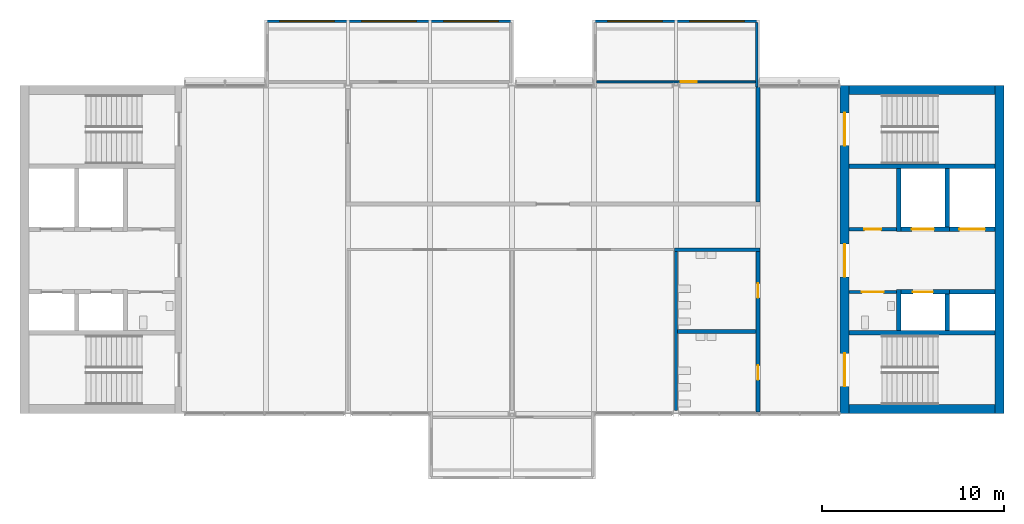
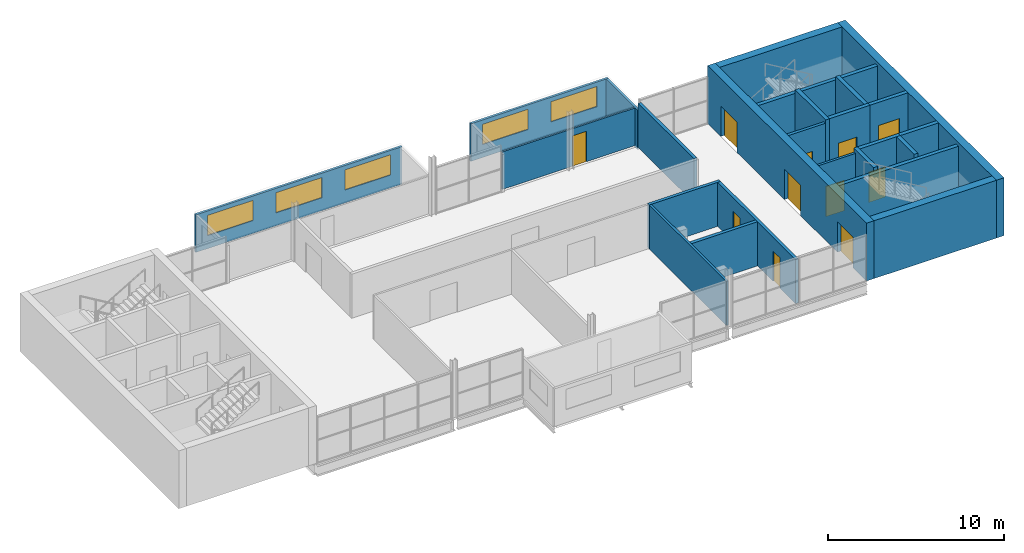
# One storey, part 6 of 10: 25 walls, 11 doors, 5 windows, 16 openings.
"""IFC4 building model written with IfcOpenShell, lengths in metres."""

from ifc_helpers import new_model, si_unit, direction, frame, frame_2d, origin, place, context, subcontext, project, spatial, rectangle, extrude, material, layer, layer_set, type_object, element, fill, save


model = new_model("IFC4")

# Units and contexts
model_context = context("Model", 3, precision=1e-05, world=origin(), true_north=direction((0.0, 1.0)))
body_context = subcontext(model_context, "Body", "Model", "MODEL_VIEW")
ifc_project = project(units=[si_unit("LENGTHUNIT", "METRE"), si_unit("AREAUNIT", "SQUARE_METRE"), si_unit("VOLUMEUNIT", "CUBIC_METRE"), si_unit("PLANEANGLEUNIT", "RADIAN"), si_unit("MASSUNIT", "GRAM", prefix="KILO")], contexts=[model_context])

# Site, building, storey
site_placement = place(None, origin())
site = spatial("IfcSite", under=ifc_project, at=site_placement, CompositionType="ELEMENT")
building_placement = place(site_placement, origin())
building = spatial("IfcBuilding", under=site, at=building_placement, Name="Corbel Yard City Hall", CompositionType="ELEMENT")
storey_placement = place(building_placement, frame((0.0, 0.0, 51.199951171875)))
storey = spatial("IfcBuildingStorey", under=building, at=storey_placement, Name="L12", CompositionType="ELEMENT", Elevation=51.199951171875)

# Walls
ifc_material_1 = material(Name="Concrete N40 (40 MPa)", Category="concrete")
ifc_layer_1 = layer(ifc_material_1, 0.25)
ifc_layer_set_1 = layer_set([ifc_layer_1], Name="Concrete N40 (40 MPa)")
wall_type_1 = type_object("IfcWallType", Name="IW2", PredefinedType="SOLIDWALL", material=ifc_layer_set_1)
for number, where, z_axis, x_axis, name in (
    (1, (45.5, 103.425048828125, 0.0), (0.0, 0.0, 1.0), (1.0, 0.0, 0.0), "Stair enclosure wall"),
    (2, (45.5, 112.574951171875, 0.0), (0.0, 0.0, 1.0), (1.0, 0.0, 0.0), "Stair enclosure wall"),
):
    element("IfcWall", number, at=place(storey_placement, frame(where, z_axis=z_axis, x_axis=x_axis)), inside=storey, type_object=wall_type_1, Name=name, PredefinedType="SOLIDWALL", context=body_context, shape_type="SweptSolid", body=[
        extrude(rectangle(XDim=8.0, YDim=0.25, at=frame_2d((4.0, 0.0))), origin(), (0.0, 0.0, 1.0), 3.75),
    ])
wall_1_placement = place(storey_placement, frame((48.22509765625, 103.550048828125, 0.0), z_axis=(0.0, 0.0, 1.0), x_axis=(0.0, 1.0, 0.0)))
element("IfcWall", 3, at=wall_1_placement, inside=storey, type_object=wall_type_1, Name="Lift LP25 shaft wall", PredefinedType="SOLIDWALL", context=body_context, shape_type="SweptSolid", body=[
    extrude(rectangle(XDim=2.25, YDim=0.25, at=frame_2d((1.125, 0.0))), origin(), (0.0, 0.0, 1.0), 4.0),
])
wall_2_placement = place(storey_placement, frame((50.875, 103.550048828125, 0.0), z_axis=(0.0, 0.0, 1.0), x_axis=(0.0, 1.0, 0.0)))
element("IfcWall", 4, at=wall_2_placement, inside=storey, type_object=wall_type_1, Name="Lift LP25 shaft wall", PredefinedType="SOLIDWALL", context=body_context, shape_type="SweptSolid", body=[
    extrude(rectangle(XDim=2.0, YDim=0.25, at=frame_2d((1.0, 0.0))), origin(), (0.0, 0.0, 1.0), 4.0),
])

# Wall, opening, door
wall_3_placement = place(storey_placement, frame((48.35009765625, 105.675048828125, 0.0), z_axis=(0.0, 0.0, 1.0), x_axis=(1.0, 0.0, 0.0)))
wall_3 = element("IfcWall", 5, at=wall_3_placement, inside=storey, type_object=wall_type_1, Name="Lift LP25 shaft wall", PredefinedType="SOLIDWALL", context=body_context, shape_type="SweptSolid", body=[
    extrude(rectangle(XDim=2.64990234375, YDim=0.25, at=frame_2d((1.324951171875, 0.0))), origin(), (0.0, 0.0, 1.0), 4.0),
])
opening_1_placement = place(wall_3_placement, frame((0.64990234375, 0.0, 0.0)))
opening_1 = element("IfcOpeningElement", 6, at=opening_1_placement, cuts=wall_3, Name="Opening T3-008", PredefinedType="OPENING", context=body_context, shape_type="SweptSolid", body=[
    extrude(rectangle(XDim=1.10009765625, YDim=2.10009765625, at=frame_2d((0.550048828125, 1.050048828125))), frame((0.0, 0.135009765625, 0.0), z_axis=(0.0, -1.0, 0.0), x_axis=(1.0, 0.0, 0.0)), (0.0, 0.0, 1.0), 0.27001953125),
])
ifc_material_2 = material(Name="Stainless steel Grade 316", Category="steel")
door_type_1 = type_object("IfcDoorType", Name="LD1", OperationType="DOUBLE_DOOR_SLIDING", PredefinedType="DOOR", material=ifc_material_2)
door_1_placement = place(opening_1_placement, origin())
door_1 = element("IfcDoor", 7, at=door_1_placement, inside=storey, type_object=door_type_1, Name="Lift LP25 landing door", OperationType="DOUBLE_DOOR_SLIDING", OverallHeight=2.10009765625, OverallWidth=1.10009765625, PredefinedType="DOOR", context=body_context, shape_type="SweptSolid", body=[
    extrude(rectangle(XDim=1.10009765625, YDim=2.10009765625, at=frame_2d((0.550048828125, 1.050048828125))), frame((0.0, 0.02490234375, 0.0), z_axis=(0.0, -1.0, 0.0), x_axis=(1.0, 0.0, 0.0)), (0.0, 0.0, 1.0), 0.050048828125),
])
fill(opening_1, door_1)

# Walls
wall_4_placement = place(storey_placement, frame((51.0, 105.675048828125, 0.0), z_axis=(0.0, 0.0, 1.0), x_axis=(1.0, 0.0, 0.0)))
element("IfcWall", 8, at=wall_4_placement, inside=storey, type_object=wall_type_1, Name="Lift LP26 shaft wall", PredefinedType="SOLIDWALL", context=body_context, shape_type="SweptSolid", body=[
    extrude(rectangle(XDim=2.5, YDim=0.25, at=frame_2d((1.25, 0.0))), origin(), (0.0, 0.0, 1.0), 4.0),
])
wall_5_placement = place(storey_placement, frame((48.22509765625, 109.0, 0.0), z_axis=(0.0, 0.0, 1.0), x_axis=(0.0, 1.0, 0.0)))
element("IfcWall", 9, at=wall_5_placement, inside=storey, type_object=wall_type_1, Name="Lift LF2 shaft wall", PredefinedType="SOLIDWALL", context=body_context, shape_type="SweptSolid", body=[
    extrude(rectangle(XDim=3.449951171875, YDim=0.25, at=frame_2d((1.72509765625, 0.0))), origin(), (0.0, 0.0, 1.0), 4.0),
])
wall_6_placement = place(storey_placement, frame((50.875, 109.25, 0.0), z_axis=(0.0, 0.0, 1.0), x_axis=(0.0, 1.0, 0.0)))
element("IfcWall", 10, at=wall_6_placement, inside=storey, type_object=wall_type_1, Name="Lift LF2 shaft wall", PredefinedType="SOLIDWALL", context=body_context, shape_type="SweptSolid", body=[
    extrude(rectangle(XDim=3.199951171875, YDim=0.25, at=frame_2d((1.60009765625, 0.0))), origin(), (0.0, 0.0, 1.0), 4.0),
])

# Wall, opening, door
wall_7_placement = place(storey_placement, frame((48.35009765625, 109.125, 0.0), z_axis=(0.0, 0.0, 1.0), x_axis=(1.0, 0.0, 0.0)))
wall_7 = element("IfcWall", 11, at=wall_7_placement, inside=storey, type_object=wall_type_1, Name="Lift LF2 shaft wall", PredefinedType="SOLIDWALL", context=body_context, shape_type="SweptSolid", body=[
    extrude(rectangle(XDim=2.64990234375, YDim=0.25, at=frame_2d((1.324951171875, 0.0))), origin(), (0.0, 0.0, 1.0), 4.0),
])
opening_2_placement = place(wall_7_placement, frame((0.60009765625, 0.0, 0.0)))
opening_2 = element("IfcOpeningElement", 12, at=opening_2_placement, cuts=wall_7, Name="Opening T3-009", PredefinedType="OPENING", context=body_context, shape_type="SweptSolid", body=[
    extrude(rectangle(XDim=1.199951171875, YDim=2.10009765625, at=frame_2d((0.60009765625, 1.050048828125))), frame((0.0, 0.135009765625, 0.0), z_axis=(0.0, -1.0, 0.0), x_axis=(1.0, 0.0, 0.0)), (0.0, 0.0, 1.0), 0.27001953125),
])
door_type_2 = type_object("IfcDoorType", Name="LD2", OperationType="DOUBLE_DOOR_SLIDING", PredefinedType="DOOR", material=ifc_material_2)
door_2_placement = place(opening_2_placement, origin())
door_2 = element("IfcDoor", 13, at=door_2_placement, inside=storey, type_object=door_type_2, Name="Lift LF2 landing door", OperationType="DOUBLE_DOOR_SLIDING", OverallHeight=2.10009765625, OverallWidth=1.199951171875, PredefinedType="DOOR", context=body_context, shape_type="SweptSolid", body=[
    extrude(rectangle(XDim=1.199951171875, YDim=2.10009765625, at=frame_2d((0.60009765625, 1.050048828125))), frame((0.0, 0.02490234375, 0.0), z_axis=(0.0, -1.0, 0.0), x_axis=(1.0, 0.0, 0.0)), (0.0, 0.0, 1.0), 0.050048828125),
])
fill(opening_2, door_2)

wall_8_placement = place(storey_placement, frame((51.0, 109.125, 0.0), z_axis=(0.0, 0.0, 1.0), x_axis=(1.0, 0.0, 0.0)))
wall_8 = element("IfcWall", 14, at=wall_8_placement, inside=storey, type_object=wall_type_1, Name="Lift LG1 shaft wall", PredefinedType="SOLIDWALL", context=body_context, shape_type="SweptSolid", body=[
    extrude(rectangle(XDim=2.5, YDim=0.25, at=frame_2d((1.25, 0.0))), origin(), (0.0, 0.0, 1.0), 4.0),
])
opening_3_placement = place(wall_8_placement, frame((0.550048828125, 0.0, 0.0)))
opening_3 = element("IfcOpeningElement", 15, at=opening_3_placement, cuts=wall_8, Name="Opening T3-010", PredefinedType="OPENING", context=body_context, shape_type="SweptSolid", body=[
    extrude(rectangle(XDim=1.39990234375, YDim=2.39990234375, at=frame_2d((0.699951171875, 1.199951171875))), frame((0.0, 0.135009765625, 0.0), z_axis=(0.0, -1.0, 0.0), x_axis=(1.0, 0.0, 0.0)), (0.0, 0.0, 1.0), 0.27001953125),
])
door_type_3 = type_object("IfcDoorType", Name="LD3", OperationType="DOUBLE_DOOR_SLIDING", PredefinedType="DOOR", material=ifc_material_2)
door_3_placement = place(opening_3_placement, origin())
door_3 = element("IfcDoor", 16, at=door_3_placement, inside=storey, type_object=door_type_3, Name="Lift LG1 landing door", OperationType="DOUBLE_DOOR_SLIDING", OverallHeight=2.39990234375, OverallWidth=1.39990234375, PredefinedType="DOOR", context=body_context, shape_type="SweptSolid", body=[
    extrude(rectangle(XDim=1.39990234375, YDim=2.39990234375, at=frame_2d((0.699951171875, 1.199951171875))), frame((0.0, 0.02490234375, 0.0), z_axis=(0.0, -1.0, 0.0), x_axis=(1.0, 0.0, 0.0)), (0.0, 0.0, 1.0), 0.050048828125),
])
fill(opening_3, door_3)

# Wall, openings, windows
ifc_material_3 = material(Name="Anodised aluminium", Category="aluminium")
ifc_layer_2 = layer(ifc_material_3, 0.02392578125)
ifc_material_4 = material(Name="Steel Grade G550 (550 MPa yield)", Category="steel")
ifc_layer_3 = layer(ifc_material_4, 0.10009765625)
ifc_material_5 = material(Name="Gypsum plasterboard", Category="gypsum")
ifc_layer_4 = layer(ifc_material_5, 0.02587890625)
ifc_layer_set_2 = layer_set([ifc_layer_2, ifc_layer_3, ifc_layer_4], Name="Steel Grade G550 (550 MPa yield)")
wall_type_2 = type_object("IfcWallType", Name="PD1", PredefinedType="SOLIDWALL", material=ifc_layer_set_2)
wall_9_placement = place(storey_placement, frame((13.5, 120.52490234375, 0.0), z_axis=(0.0, 0.0, 1.0), x_axis=(1.0, 0.0, 0.0)))
wall_9 = element("IfcWall", 17, at=wall_9_placement, inside=storey, type_object=wall_type_2, Name="Pod outer wall L12", PredefinedType="SOLIDWALL", context=body_context, shape_type="SweptSolid", body=[
    extrude(rectangle(XDim=13.5, YDim=0.14990234375, at=frame_2d((6.75, 0.0))), origin(), (0.0, 0.0, 1.0), 2.60009765625),
])
opening_4_placement = place(wall_9_placement, frame((0.75, 0.0, 0.89990234375)))
opening_4 = element("IfcOpeningElement", 18, at=opening_4_placement, cuts=wall_9, Name="Opening WN5", PredefinedType="OPENING", context=body_context, shape_type="SweptSolid", body=[
    extrude(rectangle(XDim=3.0, YDim=1.39990234375, at=frame_2d((1.5, 0.699951171875))), frame((0.0, 0.0849609375, 0.0), z_axis=(0.0, -1.0, 0.0), x_axis=(1.0, 0.0, 0.0)), (0.0, 0.0, 1.0), 0.169921875),
])
opening_5_placement = place(wall_9_placement, frame((5.25, 0.0, 0.89990234375)))
opening_5 = element("IfcOpeningElement", 19, at=opening_5_placement, cuts=wall_9, Name="Opening WN5", PredefinedType="OPENING", context=body_context, shape_type="SweptSolid", body=[
    extrude(rectangle(XDim=3.0, YDim=1.39990234375, at=frame_2d((1.5, 0.699951171875))), frame((0.0, 0.0849609375, 0.0), z_axis=(0.0, -1.0, 0.0), x_axis=(1.0, 0.0, 0.0)), (0.0, 0.0, 1.0), 0.169921875),
])
opening_6_placement = place(wall_9_placement, frame((9.75, 0.0, 0.89990234375)))
opening_6 = element("IfcOpeningElement", 20, at=opening_6_placement, cuts=wall_9, Name="Opening WN5", PredefinedType="OPENING", context=body_context, shape_type="SweptSolid", body=[
    extrude(rectangle(XDim=3.0, YDim=1.39990234375, at=frame_2d((1.5, 0.699951171875))), frame((0.0, 0.0849609375, 0.0), z_axis=(0.0, -1.0, 0.0), x_axis=(1.0, 0.0, 0.0)), (0.0, 0.0, 1.0), 0.169921875),
])
ifc_material_6 = material(Name="Aluminium frame, double glazed low-e glass", Category="aluminium")
window_type = type_object("IfcWindowType", Name="WN5", PartitioningType="SINGLE_PANEL", PredefinedType="WINDOW", material=ifc_material_6)
window_1_placement = place(opening_4_placement, origin())
window_1 = element("IfcWindow", 21, at=window_1_placement, inside=storey, type_object=window_type, Name="Window WN5 L12", OverallHeight=1.39990234375, OverallWidth=3.0, PartitioningType="SINGLE_PANEL", PredefinedType="WINDOW", context=body_context, shape_type="SweptSolid", body=[
    extrude(rectangle(XDim=3.0, YDim=1.39990234375, at=frame_2d((1.5, 0.699951171875))), frame((0.0, 0.030029296875, 0.0), z_axis=(0.0, -1.0, 0.0), x_axis=(1.0, 0.0, 0.0)), (0.0, 0.0, 1.0), 0.06005859375),
])
fill(opening_4, window_1)
window_2_placement = place(opening_5_placement, origin())
window_2 = element("IfcWindow", 22, at=window_2_placement, inside=storey, type_object=window_type, Name="Window WN5 L12", OverallHeight=1.39990234375, OverallWidth=3.0, PartitioningType="SINGLE_PANEL", PredefinedType="WINDOW", context=body_context, shape_type="SweptSolid", body=[
    extrude(rectangle(XDim=3.0, YDim=1.39990234375, at=frame_2d((1.5, 0.699951171875))), frame((0.0, 0.030029296875, 0.0), z_axis=(0.0, -1.0, 0.0), x_axis=(1.0, 0.0, 0.0)), (0.0, 0.0, 1.0), 0.06005859375),
])
fill(opening_5, window_2)
window_3_placement = place(opening_6_placement, origin())
window_3 = element("IfcWindow", 23, at=window_3_placement, inside=storey, type_object=window_type, Name="Window WN5 L12", OverallHeight=1.39990234375, OverallWidth=3.0, PartitioningType="SINGLE_PANEL", PredefinedType="WINDOW", context=body_context, shape_type="SweptSolid", body=[
    extrude(rectangle(XDim=3.0, YDim=1.39990234375, at=frame_2d((1.5, 0.699951171875))), frame((0.0, 0.030029296875, 0.0), z_axis=(0.0, -1.0, 0.0), x_axis=(1.0, 0.0, 0.0)), (0.0, 0.0, 1.0), 0.06005859375),
])
fill(opening_6, window_3)

wall_10_placement = place(storey_placement, frame((31.5, 120.52490234375, 0.0), z_axis=(0.0, 0.0, 1.0), x_axis=(1.0, 0.0, 0.0)))
wall_10 = element("IfcWall", 24, at=wall_10_placement, inside=storey, type_object=wall_type_2, Name="Pod outer wall L12", PredefinedType="SOLIDWALL", context=body_context, shape_type="SweptSolid", body=[
    extrude(rectangle(XDim=9.0, YDim=0.14990234375, at=frame_2d((4.5, 0.0))), origin(), (0.0, 0.0, 1.0), 2.60009765625),
])
opening_7_placement = place(wall_10_placement, frame((0.75, 0.0, 0.89990234375)))
opening_7 = element("IfcOpeningElement", 25, at=opening_7_placement, cuts=wall_10, Name="Opening WN5", PredefinedType="OPENING", context=body_context, shape_type="SweptSolid", body=[
    extrude(rectangle(XDim=3.0, YDim=1.39990234375, at=frame_2d((1.5, 0.699951171875))), frame((0.0, 0.0849609375, 0.0), z_axis=(0.0, -1.0, 0.0), x_axis=(1.0, 0.0, 0.0)), (0.0, 0.0, 1.0), 0.169921875),
])
opening_8_placement = place(wall_10_placement, frame((5.25, 0.0, 0.89990234375)))
opening_8 = element("IfcOpeningElement", 26, at=opening_8_placement, cuts=wall_10, Name="Opening WN5", PredefinedType="OPENING", context=body_context, shape_type="SweptSolid", body=[
    extrude(rectangle(XDim=3.0, YDim=1.39990234375, at=frame_2d((1.5, 0.699951171875))), frame((0.0, 0.0849609375, 0.0), z_axis=(0.0, -1.0, 0.0), x_axis=(1.0, 0.0, 0.0)), (0.0, 0.0, 1.0), 0.169921875),
])
window_4_placement = place(opening_7_placement, origin())
window_4 = element("IfcWindow", 27, at=window_4_placement, inside=storey, type_object=window_type, Name="Window WN5 L12", OverallHeight=1.39990234375, OverallWidth=3.0, PartitioningType="SINGLE_PANEL", PredefinedType="WINDOW", context=body_context, shape_type="SweptSolid", body=[
    extrude(rectangle(XDim=3.0, YDim=1.39990234375, at=frame_2d((1.5, 0.699951171875))), frame((0.0, 0.030029296875, 0.0), z_axis=(0.0, -1.0, 0.0), x_axis=(1.0, 0.0, 0.0)), (0.0, 0.0, 1.0), 0.06005859375),
])
fill(opening_7, window_4)
window_5_placement = place(opening_8_placement, origin())
window_5 = element("IfcWindow", 28, at=window_5_placement, inside=storey, type_object=window_type, Name="Window WN5 L12", OverallHeight=1.39990234375, OverallWidth=3.0, PartitioningType="SINGLE_PANEL", PredefinedType="WINDOW", context=body_context, shape_type="SweptSolid", body=[
    extrude(rectangle(XDim=3.0, YDim=1.39990234375, at=frame_2d((1.5, 0.699951171875))), frame((0.0, 0.030029296875, 0.0), z_axis=(0.0, -1.0, 0.0), x_axis=(1.0, 0.0, 0.0)), (0.0, 0.0, 1.0), 0.06005859375),
])
fill(opening_8, window_5)

# Wall, opening, door
ifc_layer_5 = layer(ifc_material_5, 0.01806640625)
ifc_layer_6 = layer(ifc_material_4, 0.06396484375)
ifc_layer_7 = layer(ifc_material_5, 0.01806640625)
ifc_layer_set_3 = layer_set([ifc_layer_5, ifc_layer_6, ifc_layer_7], Name="Steel Grade G550 (550 MPa yield)")
wall_type_3 = type_object("IfcWallType", Name="PD2", PredefinedType="PARTITIONING", material=ifc_layer_set_3)
wall_11_placement = place(storey_placement, frame((31.64990234375, 117.20556640625, 0.0), z_axis=(0.0, 0.0, 1.0), x_axis=(1.0, 0.0, 0.0)))
wall_11 = element("IfcWall", 29, at=wall_11_placement, inside=storey, type_object=wall_type_3, Name="Pod inner wall L12", PredefinedType="PARTITIONING", context=body_context, shape_type="SweptSolid", body=[
    extrude(rectangle(XDim=8.7001953125, YDim=0.10009765625, at=frame_2d((4.35009765625, 0.0))), origin(), (0.0, 0.0, 1.0), 2.60009765625),
])
opening_9_placement = place(wall_11_placement, frame((4.60009765625, 0.0, 0.0)))
opening_9 = element("IfcOpeningElement", 30, at=opening_9_placement, cuts=wall_11, Name="Opening T3-003", PredefinedType="OPENING", context=body_context, shape_type="SweptSolid", body=[
    extrude(rectangle(XDim=0.89990234375, YDim=2.10009765625, at=frame_2d((0.449951171875, 1.050048828125))), frame((0.0, 0.06005859375, 0.0), z_axis=(0.0, -1.0, 0.0), x_axis=(1.0, 0.0, 0.0)), (0.0, 0.0, 1.0), 0.1201171875),
])
ifc_material_7 = material(Name="Timber, solid core", Category="wood")
door_type_4 = type_object("IfcDoorType", Name="XD6", OperationType="SINGLE_SWING_LEFT", PredefinedType="DOOR", material=ifc_material_7)
door_4_placement = place(opening_9_placement, origin())
door_4 = element("IfcDoor", 31, at=door_4_placement, inside=storey, type_object=door_type_4, Name="Pod door L12", OperationType="SINGLE_SWING_RIGHT", OverallHeight=2.10009765625, OverallWidth=0.89990234375, PredefinedType="DOOR", context=body_context, shape_type="SweptSolid", body=[
    extrude(rectangle(XDim=0.89990234375, YDim=2.10009765625, at=frame_2d((0.449951171875, 1.050048828125))), frame((0.0, 0.02490234375, 0.0), z_axis=(0.0, -1.0, 0.0), x_axis=(1.0, 0.0, 0.0)), (0.0, 0.0, 1.0), 0.050048828125),
])
fill(opening_9, door_4)

# Walls
ifc_layer_8 = layer(ifc_material_3, 0.02392578125)
ifc_layer_9 = layer(ifc_material_4, 0.10009765625)
ifc_layer_10 = layer(ifc_material_5, 0.02587890625)
ifc_layer_set_4 = layer_set([ifc_layer_8, ifc_layer_9, ifc_layer_10], Name="Steel Grade G550 (550 MPa yield)")
wall_type_4 = type_object("IfcWallType", Name="PD3", PredefinedType="SOLIDWALL", material=ifc_layer_set_4)
wall_12_placement = place(storey_placement, frame((40.425048828125, 120.449951171875, -0.14990234375), z_axis=(0.0, 0.0, 1.0), x_axis=(0.0, -1.0, 0.0)))
element("IfcWall", 32, at=wall_12_placement, inside=storey, type_object=wall_type_4, Name="Pod side wall L12", PredefinedType="SOLIDWALL", context=body_context, shape_type="SweptSolid", body=[
    extrude(rectangle(XDim=3.5400390625, YDim=0.14990234375, at=frame_2d((1.77001953125, 0.0))), origin(), (0.0, 0.0, 1.0), 2.75),
])
ifc_layer_11 = layer(ifc_material_5, 0.031982421875)
ifc_layer_12 = layer(ifc_material_4, 0.135986328125)
ifc_layer_13 = layer(ifc_material_5, 0.031982421875)
ifc_layer_set_5 = layer_set([ifc_layer_11, ifc_layer_12, ifc_layer_13], Name="Steel Grade G550 (550 MPa yield)")
wall_type_5 = type_object("IfcWallType", Name="PT2", PredefinedType="PARTITIONING", material=ifc_layer_set_5)
wall_13_placement = place(storey_placement, frame((35.925048828125, 108.0, 0.0), z_axis=(0.0, 0.0, 1.0), x_axis=(1.0, 0.0, 0.0)))
element("IfcWall", 33, at=wall_13_placement, inside=storey, type_object=wall_type_5, Name="Acoustic wall", PredefinedType="PARTITIONING", context=body_context, shape_type="SweptSolid", body=[
    extrude(rectangle(XDim=4.675048828125, YDim=0.199951171875, at=frame_2d((2.33740234375, 0.0))), origin(), (0.0, 0.0, 1.0), 3.050048828125),
])

# Wall, openings, doors
wall_14_placement = place(storey_placement, frame((40.5, 99.074951171875, 0.0), z_axis=(0.0, 0.0, 1.0), x_axis=(0.0, 1.0, 0.0)))
wall_14 = element("IfcWall", 34, at=wall_14_placement, inside=storey, type_object=wall_type_5, Name="Acoustic wall", PredefinedType="PARTITIONING", context=body_context, shape_type="SweptSolid", body=[
    extrude(rectangle(XDim=8.824951171875, YDim=0.199951171875, at=frame_2d((4.41259765625, 0.0))), origin(), (0.0, 0.0, 1.0), 3.050048828125),
])
opening_10_placement = place(wall_14_placement, frame((1.77490234375, 0.0, 0.0)))
opening_10 = element("IfcOpeningElement", 35, at=opening_10_placement, cuts=wall_14, Name="Opening T3-013", PredefinedType="OPENING", context=body_context, shape_type="SweptSolid", body=[
    extrude(rectangle(XDim=0.800048828125, YDim=2.10009765625, at=frame_2d((0.39990234375, 1.050048828125))), frame((0.0, 0.10986328125, 0.0), z_axis=(0.0, -1.0, 0.0), x_axis=(1.0, 0.0, 0.0)), (0.0, 0.0, 1.0), 0.219970703125),
])
opening_11_placement = place(wall_14_placement, frame((6.27490234375, 0.0, 0.0)))
opening_11 = element("IfcOpeningElement", 36, at=opening_11_placement, cuts=wall_14, Name="Opening T3-014", PredefinedType="OPENING", context=body_context, shape_type="SweptSolid", body=[
    extrude(rectangle(XDim=0.800048828125, YDim=2.10009765625, at=frame_2d((0.39990234375, 1.050048828125))), frame((0.0, 0.10986328125, 0.0), z_axis=(0.0, -1.0, 0.0), x_axis=(1.0, 0.0, 0.0)), (0.0, 0.0, 1.0), 0.219970703125),
])
ifc_material_8 = material(Name="Timber", Category="wood")
door_type_5 = type_object("IfcDoorType", Name="D44", OperationType="SINGLE_SWING_LEFT", PredefinedType="DOOR", material=ifc_material_8)
door_5_placement = place(opening_10_placement, origin())
door_5 = element("IfcDoor", 37, at=door_5_placement, inside=storey, type_object=door_type_5, Name="Door Women's WC 1208", OperationType="SINGLE_SWING_RIGHT", OverallHeight=2.10009765625, OverallWidth=0.800048828125, PredefinedType="DOOR", context=body_context, shape_type="SweptSolid", body=[
    extrude(rectangle(XDim=0.800048828125, YDim=2.10009765625, at=frame_2d((0.39990234375, 1.050048828125))), frame((0.0, 0.02490234375, 0.0), z_axis=(0.0, -1.0, 0.0), x_axis=(1.0, 0.0, 0.0)), (0.0, 0.0, 1.0), 0.050048828125),
])
fill(opening_10, door_5)
door_6_placement = place(opening_11_placement, origin())
door_6 = element("IfcDoor", 38, at=door_6_placement, inside=storey, type_object=door_type_5, Name="Door Men's WC 1209", OperationType="SINGLE_SWING_LEFT", OverallHeight=2.10009765625, OverallWidth=0.800048828125, PredefinedType="DOOR", context=body_context, shape_type="SweptSolid", body=[
    extrude(rectangle(XDim=0.800048828125, YDim=2.10009765625, at=frame_2d((0.39990234375, 1.050048828125))), frame((0.0, 0.02490234375, 0.0), z_axis=(0.0, -1.0, 0.0), x_axis=(1.0, 0.0, 0.0)), (0.0, 0.0, 1.0), 0.050048828125),
])
fill(opening_11, door_6)

# Wall
wall_15_placement = place(storey_placement, frame((40.5, 110.60009765625, 0.0), z_axis=(0.0, 0.0, 1.0), x_axis=(0.0, 1.0, 0.0)))
element("IfcWall", 39, at=wall_15_placement, inside=storey, type_object=wall_type_5, Name="Acoustic wall", PredefinedType="PARTITIONING", context=body_context, shape_type="SweptSolid", body=[
    extrude(rectangle(XDim=6.309814453125, YDim=0.199951171875, at=frame_2d((3.15478515625, 0.0))), origin(), (0.0, 0.0, 1.0), 3.050048828125),
])

# Wall, opening, door
ifc_layer_14 = layer(ifc_material_5, 0.031982421875)
ifc_layer_15 = layer(ifc_material_4, 0.095947265625)
ifc_layer_16 = layer(ifc_material_5, 0.031982421875)
ifc_layer_set_6 = layer_set([ifc_layer_14, ifc_layer_15, ifc_layer_16], Name="Steel Grade G550 (550 MPa yield)")
wall_type_6 = type_object("IfcWallType", Name="PT3", PredefinedType="PARTITIONING", material=ifc_layer_set_6)
wall_16_placement = place(storey_placement, frame((45.5, 105.675048828125, 0.0), z_axis=(0.0, 0.0, 1.0), x_axis=(1.0, 0.0, 0.0)))
wall_16 = element("IfcWall", 40, at=wall_16_placement, inside=storey, type_object=wall_type_6, Name="Accessible WC wall", PredefinedType="PARTITIONING", context=body_context, shape_type="SweptSolid", body=[
    extrude(rectangle(XDim=2.60009765625, YDim=0.159912109375, at=frame_2d((1.300048828125, 0.0))), origin(), (0.0, 0.0, 1.0), 3.75),
])
opening_12_placement = place(wall_16_placement, frame((0.699951171875, 0.0, 0.0)))
opening_12 = element("IfcOpeningElement", 41, at=opening_12_placement, cuts=wall_16, Name="Opening T3-025", PredefinedType="OPENING", context=body_context, shape_type="SweptSolid", body=[
    extrude(rectangle(XDim=1.199951171875, YDim=2.10009765625, at=frame_2d((0.60009765625, 1.050048828125))), frame((0.0, 0.08984375, 0.0), z_axis=(0.0, -1.0, 0.0), x_axis=(1.0, 0.0, 0.0)), (0.0, 0.0, 1.0), 0.179931640625),
])
ifc_material_9 = material(Name="Steel Grade G250", Category="steel")
door_type_6 = type_object("IfcDoorType", Name="FD7", OperationType="SINGLE_SWING_LEFT", PredefinedType="DOOR", material=ifc_material_9)
door_7_placement = place(opening_12_placement, frame((1.199951171875, 0.0, 0.0), z_axis=(0.0, 0.0, 1.0), x_axis=(-1.0, 0.0, 0.0)))
door_7 = element("IfcDoor", 42, at=door_7_placement, inside=storey, type_object=door_type_6, Name="Door accessible WC East", OperationType="SINGLE_SWING_RIGHT", OverallHeight=2.10009765625, OverallWidth=1.199951171875, PredefinedType="DOOR", context=body_context, shape_type="SweptSolid", body=[
    extrude(rectangle(XDim=1.199951171875, YDim=2.10009765625, at=frame_2d((0.60009765625, 1.050048828125))), frame((0.0, 0.02490234375, 0.0), z_axis=(0.0, -1.0, 0.0), x_axis=(1.0, 0.0, 0.0)), (0.0, 0.0, 1.0), 0.050048828125),
])
fill(opening_12, door_7)

ifc_material_10 = material(Name="Concrete block", Category="concrete")
ifc_layer_17 = layer(ifc_material_10, 0.18994140625)
ifc_layer_set_7 = layer_set([ifc_layer_17], Name="Concrete block")
wall_type_7 = type_object("IfcWallType", Name="PT4", PredefinedType="PARTITIONING", material=ifc_layer_set_7)
wall_17_placement = place(storey_placement, frame((45.5, 109.125, 0.0), z_axis=(0.0, 0.0, 1.0), x_axis=(1.0, 0.0, 0.0)))
wall_17 = element("IfcWall", 43, at=wall_17_placement, inside=storey, type_object=wall_type_7, Name="Riser wall", PredefinedType="PARTITIONING", context=body_context, shape_type="SweptSolid", body=[
    extrude(rectangle(XDim=2.60009765625, YDim=0.18994140625, at=frame_2d((1.300048828125, 0.0))), origin(), (0.0, 0.0, 1.0), 3.75),
])
opening_13_placement = place(wall_17_placement, frame((0.840087890625, 0.0, 0.0)))
opening_13 = element("IfcOpeningElement", 44, at=opening_13_placement, cuts=wall_17, Name="Opening T3-026", PredefinedType="OPENING", context=body_context, shape_type="SweptSolid", body=[
    extrude(rectangle(XDim=0.919921875, YDim=2.10009765625, at=frame_2d((0.4599609375, 1.050048828125))), frame((0.0, 0.10498046875, 0.0), z_axis=(0.0, -1.0, 0.0), x_axis=(1.0, 0.0, 0.0)), (0.0, 0.0, 1.0), 0.2099609375),
])
door_type_7 = type_object("IfcDoorType", Name="FS4", OperationType="SINGLE_SWING_LEFT", PredefinedType="DOOR", material=ifc_material_9)
door_8_placement = place(opening_13_placement, origin())
door_8 = element("IfcDoor", 45, at=door_8_placement, inside=storey, type_object=door_type_7, Name="Door riser East", OperationType="SINGLE_SWING_LEFT", OverallHeight=2.10009765625, OverallWidth=0.919921875, PredefinedType="DOOR", context=body_context, shape_type="SweptSolid", body=[
    extrude(rectangle(XDim=0.919921875, YDim=2.10009765625, at=frame_2d((0.4599609375, 1.050048828125))), frame((0.0, 0.02490234375, 0.0), z_axis=(0.0, -1.0, 0.0), x_axis=(1.0, 0.0, 0.0)), (0.0, 0.0, 1.0), 0.050048828125),
])
fill(opening_13, door_8)

# Walls
ifc_layer_18 = layer(ifc_material_5, 0.031982421875)
ifc_layer_19 = layer(ifc_material_4, 0.156005859375)
ifc_layer_20 = layer(ifc_material_5, 0.031982421875)
ifc_layer_set_8 = layer_set([ifc_layer_18, ifc_layer_19, ifc_layer_20], Name="Steel Grade G550 (550 MPa yield)")
wall_type_8 = type_object("IfcWallType", Name="PT5", PredefinedType="PLUMBINGWALL", material=ifc_layer_set_8)
wall_18_placement = place(storey_placement, frame((36.074951171875, 103.5, 0.0), z_axis=(0.0, 0.0, 1.0), x_axis=(1.0, 0.0, 0.0)))
element("IfcWall", 46, at=wall_18_placement, inside=storey, type_object=wall_type_8, Name="Wet wall", PredefinedType="PLUMBINGWALL", context=body_context, shape_type="SweptSolid", body=[
    extrude(rectangle(XDim=4.324951171875, YDim=0.219970703125, at=frame_2d((2.16259765625, 0.0))), origin(), (0.0, 0.0, 1.0), 3.050048828125),
])
ifc_layer_21 = layer(ifc_material_5, 0.031982421875)
ifc_layer_22 = layer(ifc_material_4, 0.0859375)
ifc_layer_23 = layer(ifc_material_5, 0.031982421875)
ifc_layer_set_9 = layer_set([ifc_layer_21, ifc_layer_22, ifc_layer_23], Name="Steel Grade G550 (550 MPa yield)")
wall_type_9 = type_object("IfcWallType", Name="PT7", PredefinedType="PARTITIONING", material=ifc_layer_set_9)
wall_19_placement = place(storey_placement, frame((36.0, 99.16357421875, 0.0), z_axis=(0.0, 0.0, 1.0), x_axis=(0.0, 1.0, 0.0)))
element("IfcWall", 47, at=wall_19_placement, inside=storey, type_object=wall_type_9, Name="Suite partition", PredefinedType="PARTITIONING", context=body_context, shape_type="SweptSolid", body=[
    extrude(rectangle(XDim=8.736328125, YDim=0.14990234375, at=frame_2d((4.3681640625, 0.0))), origin(), (0.0, 0.0, 1.0), 3.050048828125),
])

# Wall, openings, doors
ifc_material_11 = material(Name="Concrete N50 (50 MPa)", Category="concrete")
ifc_layer_24 = layer(ifc_material_11, 0.5)
ifc_layer_set_10 = layer_set([ifc_layer_24], Name="Concrete N50 (50 MPa)")
wall_type_10 = type_object("IfcWallType", Name="Trunk wall 500", PredefinedType="SHEAR", material=ifc_layer_set_10)
wall_20_placement = place(storey_placement, frame((45.25, 99.0, 0.0), z_axis=(0.0, 0.0, 1.0), x_axis=(0.0, 1.0, 0.0)))
wall_20 = element("IfcWall", 48, at=wall_20_placement, inside=storey, type_object=wall_type_10, Name="Trunk E west wall", PredefinedType="SHEAR", context=body_context, shape_type="SweptSolid", body=[
    extrude(rectangle(XDim=18.0, YDim=0.5, at=frame_2d((9.0, 0.0))), origin(), (0.0, 0.0, 1.0), 4.0),
])
opening_14_placement = place(wall_20_placement, frame((1.5, 0.0, 0.0)))
opening_14 = element("IfcOpeningElement", 49, at=opening_14_placement, cuts=wall_20, Name="Opening T3-022", PredefinedType="OPENING", context=body_context, shape_type="SweptSolid", body=[
    extrude(rectangle(XDim=1.800048828125, YDim=2.10009765625, at=frame_2d((0.89990234375, 1.050048828125))), frame((0.0, 0.260009765625, 0.0), z_axis=(0.0, -1.0, 0.0), x_axis=(1.0, 0.0, 0.0)), (0.0, 0.0, 1.0), 0.52001953125),
])
opening_15_placement = place(wall_20_placement, frame((14.699951171875, 0.0, 0.0)))
opening_15 = element("IfcOpeningElement", 50, at=opening_15_placement, cuts=wall_20, Name="Opening T3-023", PredefinedType="OPENING", context=body_context, shape_type="SweptSolid", body=[
    extrude(rectangle(XDim=1.800048828125, YDim=2.10009765625, at=frame_2d((0.89990234375, 1.050048828125))), frame((0.0, 0.260009765625, 0.0), z_axis=(0.0, -1.0, 0.0), x_axis=(1.0, 0.0, 0.0)), (0.0, 0.0, 1.0), 0.52001953125),
])
opening_16_placement = place(wall_20_placement, frame((7.5, 0.0, 0.0)))
opening_16 = element("IfcOpeningElement", 51, at=opening_16_placement, cuts=wall_20, Name="Opening T3-024", PredefinedType="OPENING", context=body_context, shape_type="SweptSolid", body=[
    extrude(rectangle(XDim=1.800048828125, YDim=2.10009765625, at=frame_2d((0.89990234375, 1.050048828125))), frame((0.0, 0.260009765625, 0.0), z_axis=(0.0, -1.0, 0.0), x_axis=(1.0, 0.0, 0.0)), (0.0, 0.0, 1.0), 0.52001953125),
])
door_type_8 = type_object("IfcDoorType", Name="FS3", OperationType="DOUBLE_DOOR_SINGLE_SWING", PredefinedType="DOOR", material=ifc_material_9)
door_9_placement = place(opening_14_placement, origin())
door_9 = element("IfcDoor", 52, at=door_9_placement, inside=storey, type_object=door_type_8, Name="Door ST-E1", OperationType="DOUBLE_DOOR_SINGLE_SWING", OverallHeight=2.10009765625, OverallWidth=1.800048828125, PredefinedType="DOOR", context=body_context, shape_type="SweptSolid", body=[
    extrude(rectangle(XDim=1.800048828125, YDim=2.10009765625, at=frame_2d((0.89990234375, 1.050048828125))), frame((0.0, 0.02490234375, 0.0), z_axis=(0.0, -1.0, 0.0), x_axis=(1.0, 0.0, 0.0)), (0.0, 0.0, 1.0), 0.050048828125),
])
fill(opening_14, door_9)
door_10_placement = place(opening_15_placement, origin())
door_10 = element("IfcDoor", 53, at=door_10_placement, inside=storey, type_object=door_type_8, Name="Door ST-E2", OperationType="DOUBLE_DOOR_SINGLE_SWING", OverallHeight=2.10009765625, OverallWidth=1.800048828125, PredefinedType="DOOR", context=body_context, shape_type="SweptSolid", body=[
    extrude(rectangle(XDim=1.800048828125, YDim=2.10009765625, at=frame_2d((0.89990234375, 1.050048828125))), frame((0.0, 0.02490234375, 0.0), z_axis=(0.0, -1.0, 0.0), x_axis=(1.0, 0.0, 0.0)), (0.0, 0.0, 1.0), 0.050048828125),
])
fill(opening_15, door_10)
door_11_placement = place(opening_16_placement, origin())
door_11 = element("IfcDoor", 54, at=door_11_placement, inside=storey, type_object=door_type_8, Name="Door lift lobby East", OperationType="DOUBLE_DOOR_SINGLE_SWING", OverallHeight=2.10009765625, OverallWidth=1.800048828125, PredefinedType="DOOR", context=body_context, shape_type="SweptSolid", body=[
    extrude(rectangle(XDim=1.800048828125, YDim=2.10009765625, at=frame_2d((0.89990234375, 1.050048828125))), frame((0.0, 0.02490234375, 0.0), z_axis=(0.0, -1.0, 0.0), x_axis=(1.0, 0.0, 0.0)), (0.0, 0.0, 1.0), 0.050048828125),
])
fill(opening_16, door_11)

# Walls
wall_21_placement = place(storey_placement, frame((53.75, 99.0, 0.0), z_axis=(0.0, 0.0, 1.0), x_axis=(0.0, 1.0, 0.0)))
element("IfcWall", 55, at=wall_21_placement, inside=storey, type_object=wall_type_10, Name="Trunk E east wall", PredefinedType="SHEAR", context=body_context, shape_type="SweptSolid", body=[
    extrude(rectangle(XDim=18.0, YDim=0.5, at=frame_2d((9.0, 0.0))), origin(), (0.0, 0.0, 1.0), 4.0),
])
for number, where, z_axis, x_axis, name in (
    (56, (45.5, 99.25, 0.0), (0.0, 0.0, 1.0), (1.0, 0.0, 0.0), "Trunk E south wall"),
    (57, (45.5, 116.75, 0.0), (0.0, 0.0, 1.0), (1.0, 0.0, 0.0), "Trunk E north wall"),
):
    element("IfcWall", number, at=place(storey_placement, frame(where, z_axis=z_axis, x_axis=x_axis)), inside=storey, type_object=wall_type_10, Name=name, PredefinedType="SHEAR", context=body_context, shape_type="SweptSolid", body=[
        extrude(rectangle(XDim=8.0, YDim=0.5, at=frame_2d((4.0, 0.0))), origin(), (0.0, 0.0, 1.0), 4.0),
    ])

save(model, "model.ifc")
